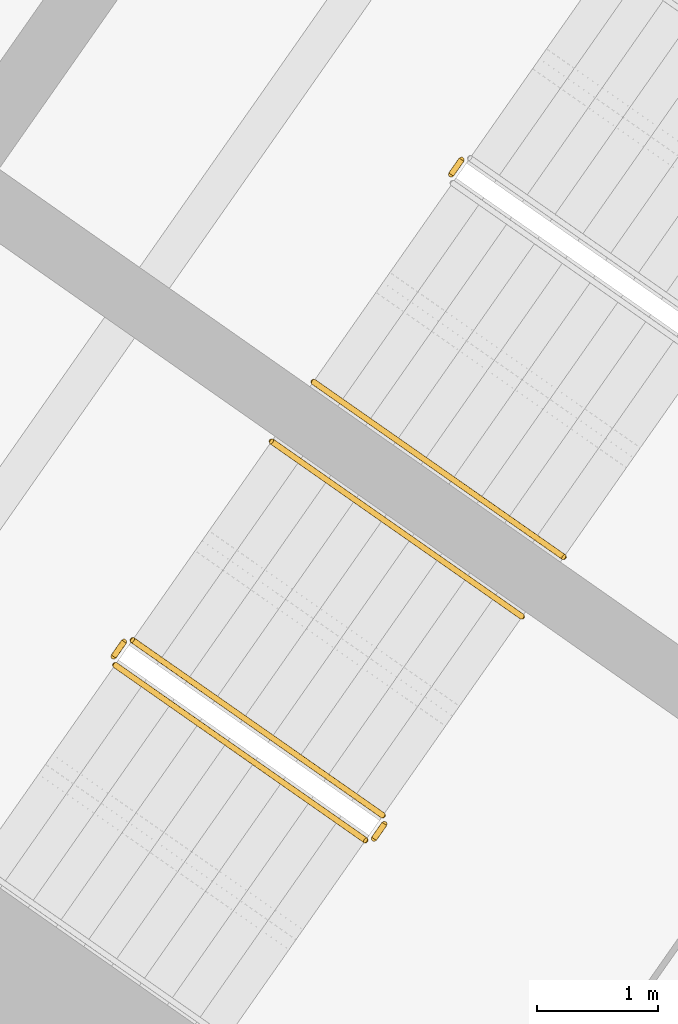
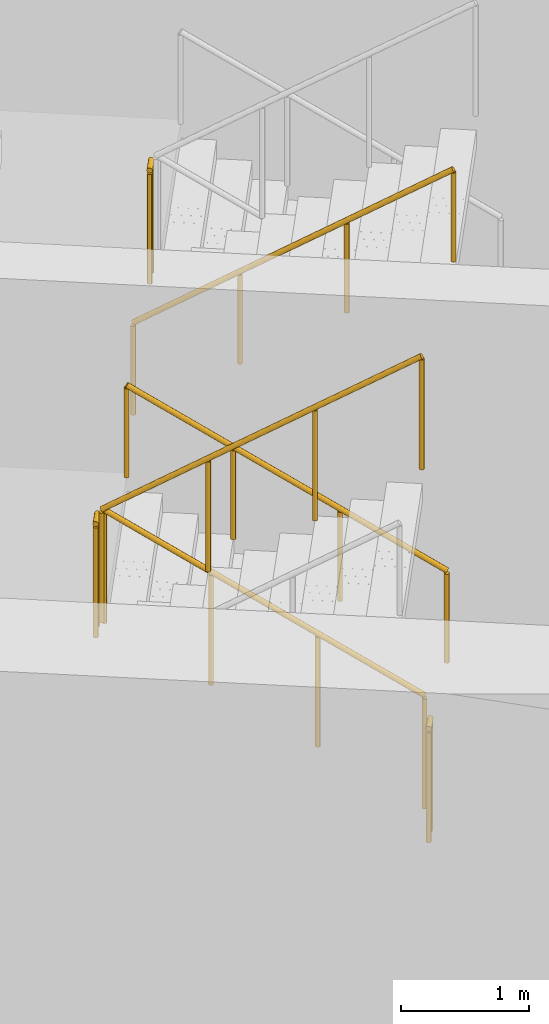
# One storey, part 21 of 23: 7 railings.
"""IFC4 building model written with IfcOpenShell, lengths in metres."""

from ifc_helpers import new_model, si_unit, direction, frame, origin, origin_2d, place, context, subcontext, project, spatial, circle, extrude, material, type_object, element, save


model = new_model("IFC4")

# Units and contexts
model_context = context("Model", 3, precision=1e-05, world=origin(), true_north=direction((0.0, 1.0)))
body_context = subcontext(model_context, "Body", "Model", "MODEL_VIEW")
ifc_project = project(units=[si_unit("LENGTHUNIT", "METRE"), si_unit("AREAUNIT", "SQUARE_METRE"), si_unit("VOLUMEUNIT", "CUBIC_METRE"), si_unit("PLANEANGLEUNIT", "RADIAN"), si_unit("MASSUNIT", "GRAM", prefix="KILO")], contexts=[model_context])

# Site, building, storey
site_placement = place(None, origin())
site = spatial("IfcSite", under=ifc_project, at=site_placement, CompositionType="ELEMENT")
building_placement = place(site_placement, origin())
building = spatial("IfcBuilding", under=site, at=building_placement, Name="Tel Ilan Convention Tower", CompositionType="ELEMENT")
storey_placement = place(building_placement, frame((0.0, 0.0, 112.10009765625)))
storey = spatial("IfcBuildingStorey", under=building, at=storey_placement, Name="L24", CompositionType="ELEMENT", Elevation=112.10009765625)

# Railings
ifc_material_1 = material(Name="Stainless Steel Grade 316", Category="steel")
railing_type_1 = type_object("IfcRailingType", Name="Stainless Steel Stair Guard 1100 mm", PredefinedType="GUARDRAIL", material=ifc_material_1)
railing_1_placement = place(storey_placement, frame((21.544921875, -6.41845703125, 1.7998046875)))
element("IfcRailing", 1, at=railing_1_placement, inside=storey, type_object=railing_type_1, Name="L24 S3 stair guard 2", PredefinedType="GUARDRAIL", context=body_context, shape_type="SweptSolid", body=[
    extrude(circle(Radius=0.02392578125, at=origin_2d()), frame((0.0, 0.0, 1.076171875), z_axis=(-0.573353020881, -0.819308436089, 0.0), x_axis=(0.819308436089, -0.573353020881, 0.0)), (0.0, 0.0, 1.0), 0.14990234375),
    extrude(circle(Radius=0.02099609375, at=origin_2d()), origin(), (0.0, 0.0, 1.0), 1.052001953125),
    extrude(circle(Radius=0.02099609375, at=origin_2d()), frame((-0.0859375, -0.122802734375, 0.0)), (0.0, 0.0, 1.0), 1.052001953125),
])
railing_2_placement = place(storey_placement, frame((20.89697265625, -11.824462890625, 0.179931640625)))
element("IfcRailing", 2, at=railing_2_placement, inside=storey, type_object=railing_type_1, Name="L24 S4 stair guard 1", PredefinedType="GUARDRAIL", context=body_context, shape_type="SweptSolid", body=[
    extrude(circle(Radius=0.02392578125, at=origin_2d()), frame((0.0, 0.0, 1.076171875), z_axis=(-0.689043377453, 0.48253410265, 0.540721798865), x_axis=(-0.573624882958, -0.819118119475, 0.0)), (0.0, 0.0, 1.0), 2.995849609375),
    extrude(circle(Radius=0.02099609375, at=origin_2d()), origin(), (0.0, 0.0, 1.0), 1.052001953125),
    extrude(circle(Radius=0.02099609375, at=origin_2d()), frame((-0.68798828125, 0.48193359375, 0.5400390625)), (0.0, 0.0, 1.0), 1.052001953125),
    extrude(circle(Radius=0.02099609375, at=origin_2d()), frame((-1.376220703125, 0.963623046875, 1.079833984375)), (0.0, 0.0, 1.0), 1.052001953125),
    extrude(circle(Radius=0.02099609375, at=origin_2d()), frame((-2.064208984375, 1.445556640625, 1.619873046875)), (0.0, 0.0, 1.0), 1.052001953125),
])
railing_3_placement = place(storey_placement, frame((18.762939453125, -10.391357421875, 1.7998046875)))
element("IfcRailing", 3, at=railing_3_placement, inside=storey, type_object=railing_type_1, Name="L24 S4 stair guard 2", PredefinedType="GUARDRAIL", context=body_context, shape_type="SweptSolid", body=[
    extrude(circle(Radius=0.02392578125, at=origin_2d()), frame((0.0, 0.0, 1.076171875), z_axis=(-0.573353020881, -0.819308436089, 0.0), x_axis=(0.819308436089, -0.573353020881, 0.0)), (0.0, 0.0, 1.0), 0.14990234375),
    extrude(circle(Radius=0.02099609375, at=origin_2d()), origin(), (0.0, 0.0, 1.0), 1.052001953125),
    extrude(circle(Radius=0.02099609375, at=origin_2d()), frame((-0.0859375, -0.122802734375, 0.0)), (0.0, 0.0, 1.0), 1.052001953125),
])
railing_4_placement = place(storey_placement, frame((18.689208984375, -10.583740234375, 1.97998046875)))
element("IfcRailing", 4, at=railing_4_placement, inside=storey, type_object=railing_type_1, Name="L24 S4 stair guard 3", PredefinedType="GUARDRAIL", context=body_context, shape_type="SweptSolid", body=[
    extrude(circle(Radius=0.02392578125, at=origin_2d()), frame((0.0, 0.0, 1.076171875), z_axis=(0.689086176785, -0.482507007183, 0.540691436018), x_axis=(0.573579365141, 0.81914999352, 0.0)), (0.0, 0.0, 1.0), 2.995849609375),
    extrude(circle(Radius=0.02099609375, at=origin_2d()), origin(), (0.0, 0.0, 1.0), 1.052001953125),
    extrude(circle(Radius=0.02099609375, at=origin_2d()), frame((0.688232421875, -0.48193359375, 0.5400390625)), (0.0, 0.0, 1.0), 1.052001953125),
    extrude(circle(Radius=0.02099609375, at=origin_2d()), frame((1.376220703125, -0.963623046875, 1.079833984375)), (0.0, 0.0, 1.0), 1.052001953125),
    extrude(circle(Radius=0.02099609375, at=origin_2d()), frame((2.064453125, -1.445556640625, 1.619873046875)), (0.0, 0.0, 1.0), 1.052001953125),
])
railing_5_placement = place(storey_placement, frame((20.9091796875, -11.89404296875, 0.0)))
element("IfcRailing", 5, at=railing_5_placement, inside=storey, type_object=railing_type_1, Name="L24 S4 stair guard 4", PredefinedType="GUARDRAIL", context=body_context, shape_type="SweptSolid", body=[
    extrude(circle(Radius=0.02392578125, at=origin_2d()), frame((0.0, 0.0, 1.076171875), z_axis=(-0.573353020881, -0.819308436089, 0.0), x_axis=(0.819308436089, -0.573353020881, 0.0)), (0.0, 0.0, 1.0), 0.14990234375),
    extrude(circle(Radius=0.02099609375, at=origin_2d()), origin(), (0.0, 0.0, 1.0), 1.052001953125),
    extrude(circle(Radius=0.02099609375, at=origin_2d()), frame((-0.0859375, -0.122802734375, 0.0)), (0.0, 0.0, 1.0), 1.052001953125),
])
ifc_material_2 = material(Name="Stainless Steel Grade 316", Category="steel")
railing_type_2 = type_object("IfcRailingType", Name="Stainless Steel Stair Handrail 900 mm", PredefinedType="HANDRAIL", material=ifc_material_2)
railing_6_placement = place(storey_placement, frame((20.323974609375, -8.249267578125, 1.97998046875)))
element("IfcRailing", 6, at=railing_6_placement, inside=storey, type_object=railing_type_2, Name="L24 S3 stair handrail 2", PredefinedType="HANDRAIL", context=body_context, shape_type="SweptSolid", body=[
    extrude(circle(Radius=0.02392578125, at=origin_2d()), frame((0.0, 0.0, 0.8759765625), z_axis=(0.68907047291, -0.482471578903, 0.540743061828), x_axis=(0.573559875649, 0.819163639968, 0.0)), (0.0, 0.0, 1.0), 2.99560546875),
    extrude(circle(Radius=0.02099609375, at=origin_2d()), origin(), (0.0, 0.0, 1.0), 0.851806640625),
    extrude(circle(Radius=0.02099609375, at=origin_2d()), frame((0.68798828125, -0.481689453125, 0.5400390625)), (0.0, 0.0, 1.0), 0.851806640625),
    extrude(circle(Radius=0.02099609375, at=origin_2d()), frame((1.376220703125, -0.963623046875, 1.079833984375)), (0.0, 0.0, 1.0), 0.851806640625),
    extrude(circle(Radius=0.02099609375, at=origin_2d()), frame((2.064208984375, -1.4453125, 1.619873046875)), (0.0, 0.0, 1.0), 0.851806640625),
])
railing_7_placement = place(storey_placement, frame((22.044189453125, -10.18603515625, 0.179931640625)))
element("IfcRailing", 7, at=railing_7_placement, inside=storey, type_object=railing_type_2, Name="L24 S4 stair handrail 1", PredefinedType="HANDRAIL", context=body_context, shape_type="SweptSolid", body=[
    extrude(circle(Radius=0.02392578125, at=origin_2d()), frame((0.0, 0.0, 0.8759765625), z_axis=(-0.689113270881, 0.482444484817, 0.540712695399), x_axis=(-0.573514357932, -0.81919550856, 0.0)), (0.0, 0.0, 1.0), 2.995849609375),
    extrude(circle(Radius=0.02099609375, at=origin_2d()), origin(), (0.0, 0.0, 1.0), 0.851806640625),
    extrude(circle(Radius=0.02099609375, at=origin_2d()), frame((-0.688232421875, 0.481689453125, 0.5400390625)), (0.0, 0.0, 1.0), 0.851806640625),
    extrude(circle(Radius=0.02099609375, at=origin_2d()), frame((-1.376220703125, 0.963623046875, 1.079833984375)), (0.0, 0.0, 1.0), 0.851806640625),
    extrude(circle(Radius=0.02099609375, at=origin_2d()), frame((-2.064453125, 1.4453125, 1.619873046875)), (0.0, 0.0, 1.0), 0.851806640625),
])

save(model, "model.ifc")
